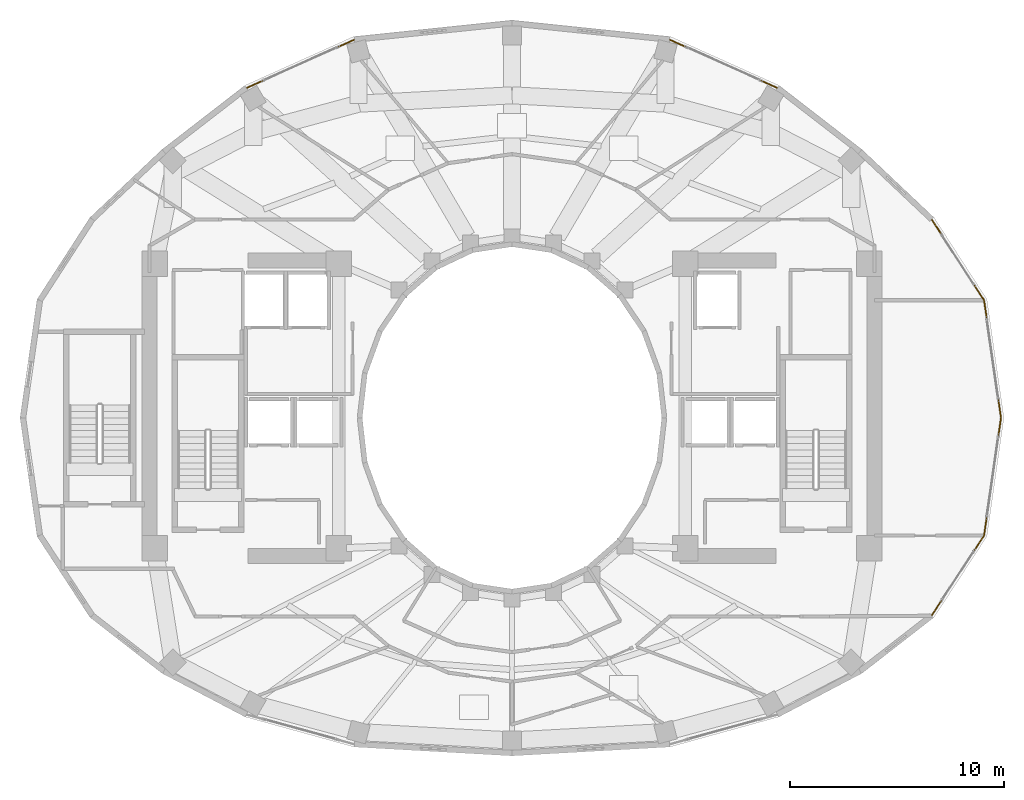
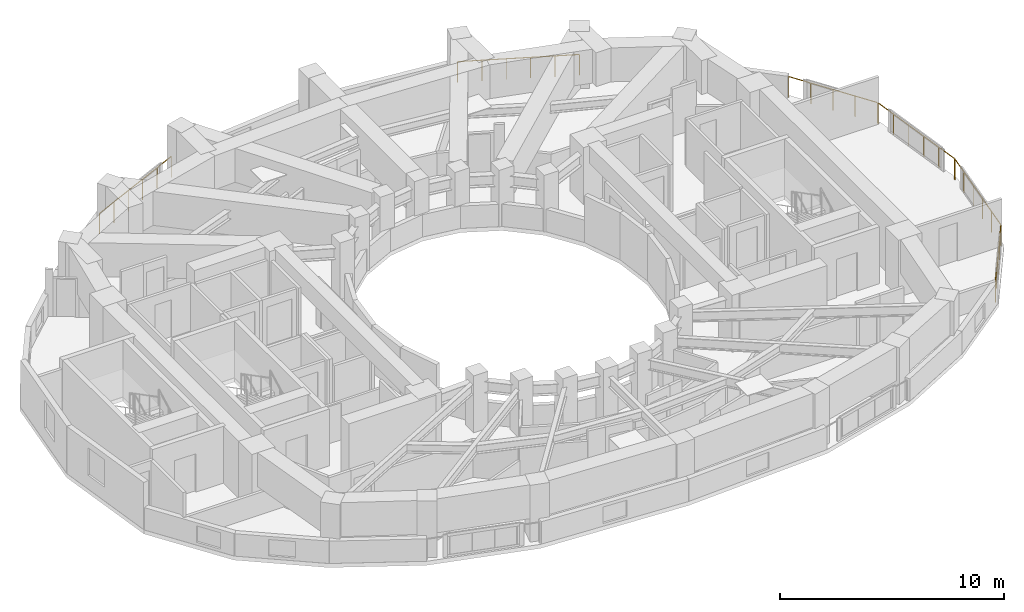
# One storey, part 20 of 20: 6 railings.
"""IFC4 building model written with IfcOpenShell, lengths in metres."""

from ifc_helpers import new_model, si_unit, direction, frame, origin, origin_2d, place, context, subcontext, project, spatial, circle, extrude, material, type_object, element, save


model = new_model("IFC4")

# Units and contexts
model_context = context("Model", 3, precision=1e-05, world=origin(), true_north=direction((0.0, 1.0)))
body_context = subcontext(model_context, "Body", "Model", "MODEL_VIEW")
ifc_project = project(units=[si_unit("LENGTHUNIT", "METRE"), si_unit("AREAUNIT", "SQUARE_METRE"), si_unit("VOLUMEUNIT", "CUBIC_METRE"), si_unit("PLANEANGLEUNIT", "RADIAN"), si_unit("MASSUNIT", "GRAM", prefix="KILO")], contexts=[model_context])

# Site, building, storey
site_placement = place(None, origin())
site = spatial("IfcSite", under=ifc_project, at=site_placement, CompositionType="ELEMENT")
building_placement = place(site_placement, origin())
building = spatial("IfcBuilding", under=site, at=building_placement, Name="Solvane Sanctuary Tower", CompositionType="ELEMENT")
storey_placement = place(building_placement, frame((0.0, 0.0, 159.10009765625)))
storey = spatial("IfcBuildingStorey", under=building, at=storey_placement, Name="L48", CompositionType="ELEMENT", Elevation=159.10009765625)

# Railings
ifc_material = material(Name="Architectural Stainless Steel 316", Category="steel")
railing_type = type_object("IfcRailingType", Name="Railing GR-BALC-1150", PredefinedType="BALUSTRADE", material=ifc_material)
railing_1_placement = place(storey_placement, frame((54.855712890625, 23.02978515625, 0.0)))
element("IfcRailing", 1, at=railing_1_placement, inside=storey, type_object=railing_type, Name="L48 Curtain-Wall Perimeter Sill Guard 00", PredefinedType="BALUSTRADE", context=body_context, shape_type="SweptSolid", body=[
    extrude(circle(Radius=0.02392578125, at=origin_2d()), frame((0.0, 0.0, 1.1259765625), z_axis=(-0.142230243532, 0.989833601079, 0.0), x_axis=(-0.989833601079, -0.142230243532, 0.0)), (0.0, 0.0, 1.0), 5.492919921875),
    extrude(circle(Radius=0.02099609375, at=origin_2d()), origin(), (0.0, 0.0, 1.0), 1.101806640625),
    extrude(circle(Radius=0.02099609375, at=origin_2d()), frame((-0.15625, 1.08740234375, 0.0)), (0.0, 0.0, 1.0), 1.101806640625),
    extrude(circle(Radius=0.02099609375, at=origin_2d()), frame((-0.3125, 2.1748046875, 0.0)), (0.0, 0.0, 1.0), 1.101806640625),
    extrude(circle(Radius=0.02099609375, at=origin_2d()), frame((-0.46875, 3.26220703125, 0.0)), (0.0, 0.0, 1.0), 1.101806640625),
    extrude(circle(Radius=0.02099609375, at=origin_2d()), frame((-0.625, 4.349609375, 0.0)), (0.0, 0.0, 1.0), 1.101806640625),
    extrude(circle(Radius=0.02099609375, at=origin_2d()), frame((-0.78125, 5.43701171875, 0.0)), (0.0, 0.0, 1.0), 1.101806640625),
])
railing_2_placement = place(storey_placement, frame((54.053955078125, 28.521728515625, 0.0)))
element("IfcRailing", 2, at=railing_2_placement, inside=storey, type_object=railing_type, Name="L48 Curtain-Wall Perimeter Sill Guard 01", PredefinedType="BALUSTRADE", context=body_context, shape_type="SweptSolid", body=[
    extrude(circle(Radius=0.02392578125, at=origin_2d()), frame((0.0, 0.0, 1.1259765625), z_axis=(-0.543333147582, 0.839517177155, 0.0), x_axis=(-0.839517177155, -0.543333147582, 0.0)), (0.0, 0.0, 1.0), 4.451171875),
    extrude(circle(Radius=0.02099609375, at=origin_2d()), origin(), (0.0, 0.0, 1.0), 1.101806640625),
    extrude(circle(Radius=0.02099609375, at=origin_2d()), frame((-0.6044921875, 0.93408203125, 0.0)), (0.0, 0.0, 1.0), 1.101806640625),
    extrude(circle(Radius=0.02099609375, at=origin_2d()), frame((-1.209228515625, 1.868408203125, 0.0)), (0.0, 0.0, 1.0), 1.101806640625),
    extrude(circle(Radius=0.02099609375, at=origin_2d()), frame((-1.81396484375, 2.802734375, 0.0)), (0.0, 0.0, 1.0), 1.101806640625),
    extrude(circle(Radius=0.02099609375, at=origin_2d()), frame((-2.41845703125, 3.73681640625, 0.0)), (0.0, 0.0, 1.0), 1.101806640625),
])
railing_3_placement = place(storey_placement, frame((44.3857421875, 38.431640625, 0.0)))
element("IfcRailing", 3, at=railing_3_placement, inside=storey, type_object=railing_type, Name="L48 Curtain-Wall Perimeter Sill Guard 04", PredefinedType="BALUSTRADE", context=body_context, shape_type="SweptSolid", body=[
    extrude(circle(Radius=0.02392578125, at=origin_2d()), frame((0.0, 0.0, 1.1259765625), z_axis=(-0.912345036546, 0.409422195649, 0.0), x_axis=(-0.409422195649, -0.912345036546, 0.0)), (0.0, 0.0, 1.0), 5.472900390625),
    extrude(circle(Radius=0.02099609375, at=origin_2d()), origin(), (0.0, 0.0, 1.0), 1.101806640625),
    extrude(circle(Radius=0.02099609375, at=origin_2d()), frame((-0.99853515625, 0.4482421875, 0.0)), (0.0, 0.0, 1.0), 1.101806640625),
    extrude(circle(Radius=0.02099609375, at=origin_2d()), frame((-1.997314453125, 0.896240234375, 0.0)), (0.0, 0.0, 1.0), 1.101806640625),
    extrude(circle(Radius=0.02099609375, at=origin_2d()), frame((-2.995849609375, 1.344482421875, 0.0)), (0.0, 0.0, 1.0), 1.101806640625),
    extrude(circle(Radius=0.02099609375, at=origin_2d()), frame((-3.99462890625, 1.79248046875, 0.0)), (0.0, 0.0, 1.0), 1.101806640625),
    extrude(circle(Radius=0.02099609375, at=origin_2d()), frame((-4.9931640625, 2.24072265625, 0.0)), (0.0, 0.0, 1.0), 1.101806640625),
])
railing_4_placement = place(storey_placement, frame((24.607421875, 40.67236328125, 0.0)))
element("IfcRailing", 4, at=railing_4_placement, inside=storey, type_object=railing_type, Name="L48 Curtain-Wall Perimeter Sill Guard 07", PredefinedType="BALUSTRADE", context=body_context, shape_type="SweptSolid", body=[
    extrude(circle(Radius=0.02392578125, at=origin_2d()), frame((0.0, 0.0, 1.1259765625), z_axis=(-0.912345036546, -0.409422195649, 0.0), x_axis=(0.409422195649, -0.912345036546, 0.0)), (0.0, 0.0, 1.0), 5.472900390625),
    extrude(circle(Radius=0.02099609375, at=origin_2d()), origin(), (0.0, 0.0, 1.0), 1.101806640625),
    extrude(circle(Radius=0.02099609375, at=origin_2d()), frame((-0.99853515625, -0.4482421875, 0.0)), (0.0, 0.0, 1.0), 1.101806640625),
    extrude(circle(Radius=0.02099609375, at=origin_2d()), frame((-1.997314453125, -0.896240234375, 0.0)), (0.0, 0.0, 1.0), 1.101806640625),
    extrude(circle(Radius=0.02099609375, at=origin_2d()), frame((-2.995849609375, -1.344482421875, 0.0)), (0.0, 0.0, 1.0), 1.101806640625),
    extrude(circle(Radius=0.02099609375, at=origin_2d()), frame((-3.99462890625, -1.79248046875, 0.0)), (0.0, 0.0, 1.0), 1.101806640625),
    extrude(circle(Radius=0.02099609375, at=origin_2d()), frame((-4.9931640625, -2.24072265625, 0.0)), (0.0, 0.0, 1.0), 1.101806640625),
])
railing_5_placement = place(storey_placement, frame((51.635498046875, 13.78173828125, 0.0)))
element("IfcRailing", 5, at=railing_5_placement, inside=storey, type_object=railing_type, Name="L48 Curtain-Wall Perimeter Sill Guard 22", PredefinedType="BALUSTRADE", context=body_context, shape_type="SweptSolid", body=[
    extrude(circle(Radius=0.02392578125, at=origin_2d()), frame((0.0, 0.0, 1.1259765625), z_axis=(0.547422082953, 0.836856656241, 0.0), x_axis=(-0.836856656241, 0.547422082953, 0.0)), (0.0, 0.0, 1.0), 4.41748046875),
    extrude(circle(Radius=0.02099609375, at=origin_2d()), origin(), (0.0, 0.0, 1.0), 1.101806640625),
    extrude(circle(Radius=0.02099609375, at=origin_2d()), frame((0.6044921875, 0.92431640625, 0.0)), (0.0, 0.0, 1.0), 1.101806640625),
    extrude(circle(Radius=0.02099609375, at=origin_2d()), frame((1.208984375, 1.848388671875, 0.0)), (0.0, 0.0, 1.0), 1.101806640625),
    extrude(circle(Radius=0.02099609375, at=origin_2d()), frame((1.813720703125, 2.7724609375, 0.0)), (0.0, 0.0, 1.0), 1.101806640625),
    extrude(circle(Radius=0.02099609375, at=origin_2d()), frame((2.418212890625, 3.69677734375, 0.0)), (0.0, 0.0, 1.0), 1.101806640625),
])
railing_6_placement = place(storey_placement, frame((54.074462890625, 17.533203125, 0.0)))
element("IfcRailing", 6, at=railing_6_placement, inside=storey, type_object=railing_type, Name="L48 Curtain-Wall Perimeter Sill Guard 23", PredefinedType="BALUSTRADE", context=body_context, shape_type="SweptSolid", body=[
    extrude(circle(Radius=0.02392578125, at=origin_2d()), frame((0.0, 0.0, 1.1259765625), z_axis=(0.142230243532, 0.989833601079, 0.0), x_axis=(-0.989833601079, 0.142230243532, 0.0)), (0.0, 0.0, 1.0), 5.492919921875),
    extrude(circle(Radius=0.02099609375, at=origin_2d()), origin(), (0.0, 0.0, 1.0), 1.101806640625),
    extrude(circle(Radius=0.02099609375, at=origin_2d()), frame((0.15625, 1.08740234375, 0.0)), (0.0, 0.0, 1.0), 1.101806640625),
    extrude(circle(Radius=0.02099609375, at=origin_2d()), frame((0.3125, 2.1748046875, 0.0)), (0.0, 0.0, 1.0), 1.101806640625),
    extrude(circle(Radius=0.02099609375, at=origin_2d()), frame((0.46875, 3.26220703125, 0.0)), (0.0, 0.0, 1.0), 1.101806640625),
    extrude(circle(Radius=0.02099609375, at=origin_2d()), frame((0.625, 4.349609375, 0.0)), (0.0, 0.0, 1.0), 1.101806640625),
    extrude(circle(Radius=0.02099609375, at=origin_2d()), frame((0.78125, 5.43701171875, 0.0)), (0.0, 0.0, 1.0), 1.101806640625),
])

save(model, "model.ifc")
